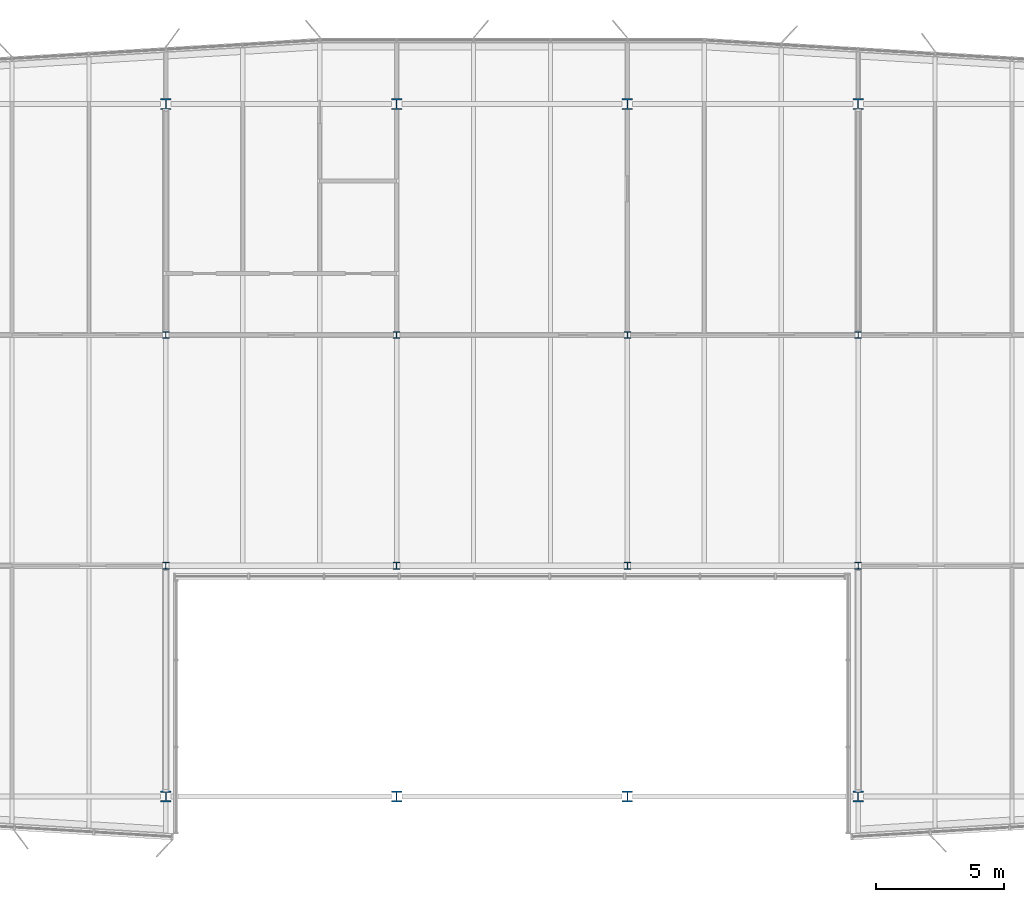
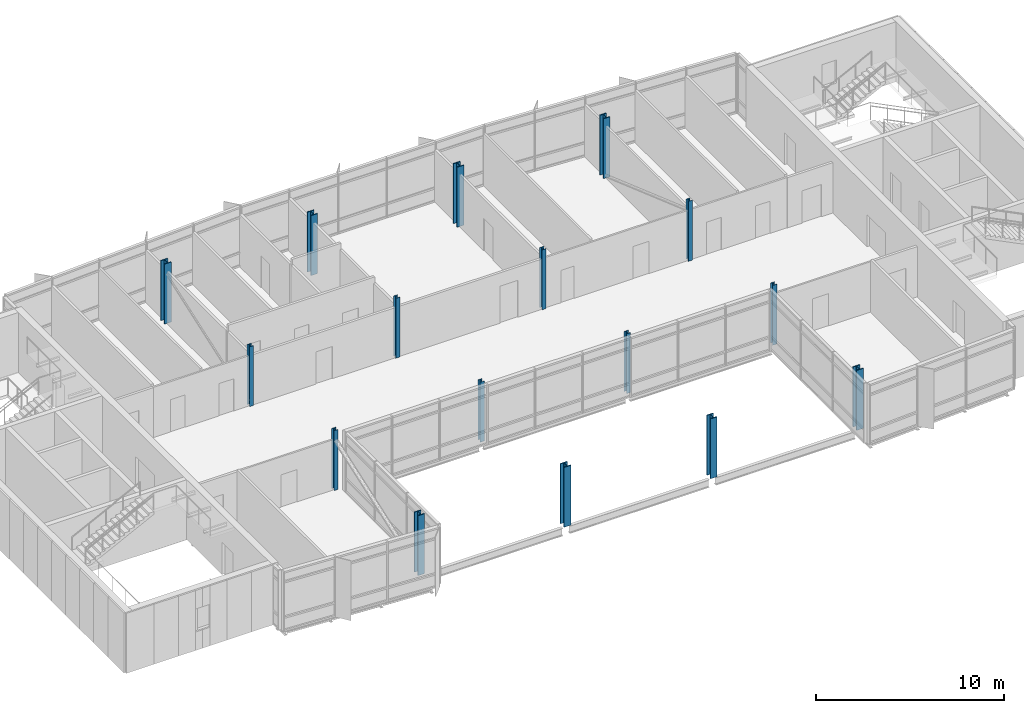
# One storey, part 1 of 20: 16 columns.
"""IFC4 building model written with IfcOpenShell, lengths in metres."""

import ifcopenshell
import ifcopenshell.guid

model = None  # the IFC model being written
_history = None  # IfcOwnerHistory: only IFC2X3 demands one
_inside = {}  # id of a spatial element -> (the spatial element, [elements in it])
_under = {}  # id of a project, library or spatial element -> (it, [spatial elements below it])
_declared = {}  # id of a project -> (the project, [libraries it declares])
_typed = {}  # id of a type object -> (the type object, [elements of that type])
_made_of = {}  # id of a material, layer set ... -> (it, [elements and type objects made of it])


def new_model(schema):
    """Start an empty IFC model of exactly this schema.

    Asked for "IFC4X3", IfcOpenShell would pick the latest addendum, in which some entities
    have other attributes; the version numbers below select the first issue.
    IFC2X3 requires an IfcOwnerHistory on every rooted entity: one is made here for all.
    """
    global model, _history
    if schema == "IFC4X3":
        model = ifcopenshell.file(schema_version=(4, 3, 0, 0))
    else:
        model = ifcopenshell.file(schema=schema)
    _inside.clear()
    _under.clear()
    _declared.clear()
    _typed.clear()
    _made_of.clear()
    _history = None
    if model.schema == "IFC2X3":
        org = make("IfcOrganization", Name="unknown")
        user = make(
            "IfcPersonAndOrganization",
            ThePerson=make("IfcPerson", FamilyName="unknown"),
            TheOrganization=org,
        )
        app = make(
            "IfcApplication",
            ApplicationDeveloper=org,
            Version="unknown",
            ApplicationFullName="unknown",
            ApplicationIdentifier="unknown",
        )
        _history = make(
            "IfcOwnerHistory",
            OwningUser=user,
            OwningApplication=app,
            ChangeAction="ADDED",
            CreationDate=0,
        )
    return model


def make(cls, **values):
    """One entity of the class cls with the attributes given. An attribute that is None is left unset."""
    return model.create_entity(
        cls, **{name: value for name, value in values.items() if value is not None}
    )


def rooted(cls, **values):
    """An entity with a GlobalId (a new one), such as an element, a storey or a relation."""
    return make(cls, GlobalId=ifcopenshell.guid.new(), OwnerHistory=_history, **values)


def si_unit(unit_type, name, prefix=None):
    """IfcSIUnit, for example si_unit("LENGTHUNIT", "METRE", prefix="MILLI")."""
    return make("IfcSIUnit", UnitType=unit_type, Prefix=prefix, Name=name)


def assignment(units):
    """IfcUnitAssignment: the units of a project."""
    return None if units is None else make("IfcUnitAssignment", Units=units)


def point(xyz):
    """IfcCartesianPoint."""
    return None if xyz is None else make("IfcCartesianPoint", Coordinates=xyz)


def direction(xyz):
    """IfcDirection."""
    return None if xyz is None else make("IfcDirection", DirectionRatios=xyz)


def frame(location, z_axis=None, x_axis=None):
    """IfcAxis2Placement3D, a coordinate frame: its origin and axes. An axis left out is left unset."""
    return make(
        "IfcAxis2Placement3D",
        Location=point(location),
        Axis=direction(z_axis),
        RefDirection=direction(x_axis),
    )


def frame_2d(location, x_axis=None):
    """IfcAxis2Placement2D, a coordinate frame in the plane: its origin and x axis."""
    return make(
        "IfcAxis2Placement2D", Location=point(location), RefDirection=direction(x_axis)
    )


def origin():
    """The frame at (0, 0, 0) with its axes left unset."""
    return frame((0.0, 0.0, 0.0))


def origin_2d():
    """The frame at (0, 0) in the plane with its x axis left unset."""
    return frame_2d((0.0, 0.0))


def place(relative_to, where):
    """IfcLocalPlacement: puts the frame where relative to a parent placement (None: the world)."""
    return make(
        "IfcLocalPlacement", PlacementRelTo=relative_to, RelativePlacement=where
    )


def context(
    kind, dimensions, precision=None, world=None, true_north=None, identifier=None
):
    """IfcGeometricRepresentationContext, for example the 3D "Model" context."""
    return make(
        "IfcGeometricRepresentationContext",
        ContextIdentifier=identifier,
        ContextType=kind,
        CoordinateSpaceDimension=dimensions,
        Precision=precision,
        WorldCoordinateSystem=world,
        TrueNorth=true_north,
    )


def subcontext(parent, identifier, kind, view, scale=None):
    """IfcGeometricRepresentationSubContext, for example "Body" below "Model"."""
    return make(
        "IfcGeometricRepresentationSubContext",
        ContextIdentifier=identifier,
        ContextType=kind,
        ParentContext=parent,
        TargetScale=scale,
        TargetView=view,
    )


def project(units=None, contexts=None):
    """IfcProject with its units and contexts."""
    return rooted(
        "IfcProject",
        Name="project",
        RepresentationContexts=contexts,
        UnitsInContext=assignment(units),
    )


def spatial(cls, under=None, at=None, **own):
    """A site, building, storey or space (cls), placed at a placement, below another one or the project."""
    s = rooted(cls, ObjectPlacement=at, **own)
    if under is not None:
        _under.setdefault(under.id(), (under, []))[1].append(s)
    return s


def profile(cls, at=None, kind="AREA", **sizes):
    """A parametric profile (cls). Its sizes go by their IFC names, for example OverallWidth=200.0."""
    return make(cls, ProfileType=kind, Position=at, **sizes)


def i_section(**sizes):
    """IfcIShapeProfileDef."""
    return profile("IfcIShapeProfileDef", **sizes)


def extrude(swept, where, along, depth):
    """IfcExtrudedAreaSolid: the profile swept, set in the frame where, extruded along a direction by depth."""
    return make(
        "IfcExtrudedAreaSolid",
        SweptArea=swept,
        Position=where,
        ExtrudedDirection=direction(along),
        Depth=depth,
    )


def shape(context_of_items, identifier, shape_type, items):
    """IfcShapeRepresentation: the items that make up one representation, for example the "Body"."""
    return make(
        "IfcShapeRepresentation",
        ContextOfItems=context_of_items,
        RepresentationIdentifier=identifier,
        RepresentationType=shape_type,
        Items=items,
    )


def material(Name=None, Category=None):
    """IfcMaterial."""
    return make("IfcMaterial", Name=Name, Category=Category)


def material_profile(
    of_material, cross_section, Name=None, Category=None, Priority=None
):
    """IfcMaterialProfile: a cross section and its material."""
    return make(
        "IfcMaterialProfile",
        Name=Name,
        Material=of_material,
        Profile=cross_section,
        Priority=Priority,
        Category=Category,
    )


def profile_set(profiles, Name=None, composite=None):
    """IfcMaterialProfileSet."""
    return make(
        "IfcMaterialProfileSet",
        Name=Name,
        MaterialProfiles=profiles,
        CompositeProfile=composite,
    )


def made_of(thing, what):
    """Note that an element or type object is made of a material, layer set ...; save() writes the relation."""
    if what is not None:
        _made_of.setdefault(what.id(), (what, []))[1].append(thing)
    return thing


def type_object(cls, material=None, **own):
    """A type object (cls), such as IfcWallType, which elements share."""
    return made_of(rooted(cls, **own), material)


def element(
    cls,
    number,
    at=None,
    inside=None,
    cuts=None,
    type_object=None,
    material=None,
    context=None,
    identifier="Body",
    shape_type=None,
    held_by="IfcProductDefinitionShape",
    body=None,
    shapes=None,
    **own,
):
    """One element of the class cls, such as IfcWall. Its Tag is "e" and its number.

    at: its placement. inside: the storey or other place that contains it. cuts: it is an
    opening in that element (IfcRelVoidsElement). A single representation is given by context,
    identifier, shape_type and body (its items); several are given by shapes. held_by: the class
    of the entity that holds the representations. save() writes the other relations.
    """
    e = rooted(cls, Tag="e%d" % number, ObjectPlacement=at, **own)
    if body is not None:
        shapes = [shape(context, identifier, shape_type, body)]
    if shapes is not None:
        e.Representation = make(held_by, Representations=shapes)
    if inside is not None:
        _inside.setdefault(inside.id(), (inside, []))[1].append(e)
    if cuts is not None:
        rooted(
            "IfcRelVoidsElement", RelatingBuildingElement=cuts, RelatedOpeningElement=e
        )
    if type_object is not None:
        _typed.setdefault(type_object.id(), (type_object, []))[1].append(e)
    return made_of(e, material)


def aggregate(whole, parts):
    """IfcRelAggregates: a whole, such as a stair, and the parts it consists of."""
    return rooted("IfcRelAggregates", RelatingObject=whole, RelatedObjects=parts)


def save(model, path):
    """Write the relations noted so far, then the file.

    IfcRelAggregates (storeys below a building ...), IfcRelContainedInSpatialStructure (elements
    in a storey), IfcRelDefinesByType, IfcRelAssociatesMaterial and IfcRelDeclares: one each for
    every whole, place, type object, material and project.
    """
    for whole, parts in _under.values():
        aggregate(whole, parts)
    for where, things in _inside.values():
        rooted(
            "IfcRelContainedInSpatialStructure",
            RelatedElements=things,
            RelatingStructure=where,
        )
    for kind, things in _typed.values():
        rooted("IfcRelDefinesByType", RelatedObjects=things, RelatingType=kind)
    for what, things in _made_of.values():
        rooted("IfcRelAssociatesMaterial", RelatedObjects=things, RelatingMaterial=what)
    for by, libraries in _declared.values():
        rooted("IfcRelDeclares", RelatingContext=by, RelatedDefinitions=libraries)
    model.write(path)


model = new_model("IFC4")

# Units and contexts
model_context = context("Model", 3, precision=1e-05, world=origin(), true_north=direction((0.0, 1.0)))
body_context = subcontext(model_context, "Body", "Model", "MODEL_VIEW")
ifc_project = project(units=[si_unit("LENGTHUNIT", "METRE"), si_unit("AREAUNIT", "SQUARE_METRE"), si_unit("VOLUMEUNIT", "CUBIC_METRE"), si_unit("PLANEANGLEUNIT", "RADIAN"), si_unit("MASSUNIT", "GRAM", prefix="KILO")], contexts=[model_context])

# Site, building, storey
site_placement = place(None, origin())
site = spatial("IfcSite", under=ifc_project, at=site_placement, CompositionType="ELEMENT")
building_placement = place(site_placement, origin())
building = spatial("IfcBuilding", under=site, at=building_placement, Name="Azimuth Sports and Learning Centre", CompositionType="ELEMENT")
storey_placement = place(building_placement, frame((0.0, 0.0, 71.39990234375)))
storey = spatial("IfcBuildingStorey", under=building, at=storey_placement, Name="L16", CompositionType="ELEMENT", Elevation=71.39990234375)

# Columns
ifc_material_1 = material(Name="Steel S460", Category="steel")
ifc_material_profile_1 = material_profile(ifc_material_1, i_section(OverallWidth=0.412109375, OverallDepth=0.43505859375, WebThickness=0.035888671875, FlangeThickness=0.057373046875, FilletRadius=0.014892578125, at=origin_2d()), Name="HD 400x463")
ifc_profile_set_1 = profile_set([ifc_material_profile_1], Name="Steel S460")
column_type_1 = type_object("IfcColumnType", Name="Column HD 400x463", PredefinedType="COLUMN", material=ifc_profile_set_1)
for number, where, z_axis, x_axis, name in (
    (1, (72.0, 90.0, 0.0), (0.0, 0.0, 1.0), (1.0, 0.0, 0.0), "Hall column 9L L16"),
    (2, (81.0, 90.0, 0.0), (0.0, 0.0, 1.0), (1.0, 0.0, 0.0), "Hall column 10L L16"),
    (3, (90.0, 90.0, 0.0), (0.0, 0.0, 1.0), (1.0, 0.0, 0.0), "Hall column 11L L16"),
    (4, (99.0, 90.0, 0.0), (0.0, 0.0, 1.0), (1.0, 0.0, 0.0), "Hall column 12L L16"),
    (5, (72.0, 117.0, 0.0), (0.0, 0.0, 1.0), (1.0, 0.0, 0.0), "Hall column 9P L16"),
    (6, (81.0, 117.0, 0.0), (0.0, 0.0, 1.0), (1.0, 0.0, 0.0), "Hall column 10P L16"),
    (7, (90.0, 117.0, 0.0), (0.0, 0.0, 1.0), (1.0, 0.0, 0.0), "Hall column 11P L16"),
    (8, (99.0, 117.0, 0.0), (0.0, 0.0, 1.0), (1.0, 0.0, 0.0), "Hall column 12P L16"),
):
    element("IfcColumn", number, at=place(storey_placement, frame(where, z_axis=z_axis, x_axis=x_axis)), inside=storey, type_object=column_type_1, Name=name, PredefinedType="COLUMN", context=body_context, shape_type="SweptSolid", body=[
        extrude(i_section(OverallWidth=0.412109375, OverallDepth=0.43505859375, WebThickness=0.035888671875, FlangeThickness=0.057373046875, FilletRadius=0.014892578125, at=origin_2d()), origin(), (0.0, 0.0, 1.0), 3.900146484375),
    ])
ifc_material_2 = material(Name="Steel S355", Category="steel")
ifc_material_profile_2 = material_profile(ifc_material_2, i_section(OverallWidth=0.260009765625, OverallDepth=0.260009765625, WebThickness=0.010009765625, FlangeThickness=0.017578125, FilletRadius=0.02392578125, at=origin_2d()), Name="HEB 260")
ifc_profile_set_2 = profile_set([ifc_material_profile_2], Name="Steel S355")
column_type_2 = type_object("IfcColumnType", Name="Column HEB 260", PredefinedType="COLUMN", material=ifc_profile_set_2)
for number, where, z_axis, x_axis, name in (
    (9, (72.0, 99.0, 0.0), (0.0, 0.0, 1.0), (1.0, 0.0, 0.0), "Tower column 9M L16"),
    (10, (81.0, 99.0, 0.0), (0.0, 0.0, 1.0), (1.0, 0.0, 0.0), "Tower column 10M L16"),
    (11, (90.0, 99.0, 0.0), (0.0, 0.0, 1.0), (1.0, 0.0, 0.0), "Tower column 11M L16"),
    (12, (99.0, 99.0, 0.0), (0.0, 0.0, 1.0), (1.0, 0.0, 0.0), "Tower column 12M L16"),
    (13, (72.0, 108.0, 0.0), (0.0, 0.0, 1.0), (1.0, 0.0, 0.0), "Tower column 9N L16"),
    (14, (81.0, 108.0, 0.0), (0.0, 0.0, 1.0), (1.0, 0.0, 0.0), "Tower column 10N L16"),
    (15, (90.0, 108.0, 0.0), (0.0, 0.0, 1.0), (1.0, 0.0, 0.0), "Tower column 11N L16"),
    (16, (99.0, 108.0, 0.0), (0.0, 0.0, 1.0), (1.0, 0.0, 0.0), "Tower column 12N L16"),
):
    element("IfcColumn", number, at=place(storey_placement, frame(where, z_axis=z_axis, x_axis=x_axis)), inside=storey, type_object=column_type_2, Name=name, PredefinedType="COLUMN", context=body_context, shape_type="SweptSolid", body=[
        extrude(i_section(OverallWidth=0.260009765625, OverallDepth=0.260009765625, WebThickness=0.010009765625, FlangeThickness=0.017578125, FilletRadius=0.02392578125, at=origin_2d()), origin(), (0.0, 0.0, 1.0), 3.900146484375),
    ])

save(model, "model.ifc")
